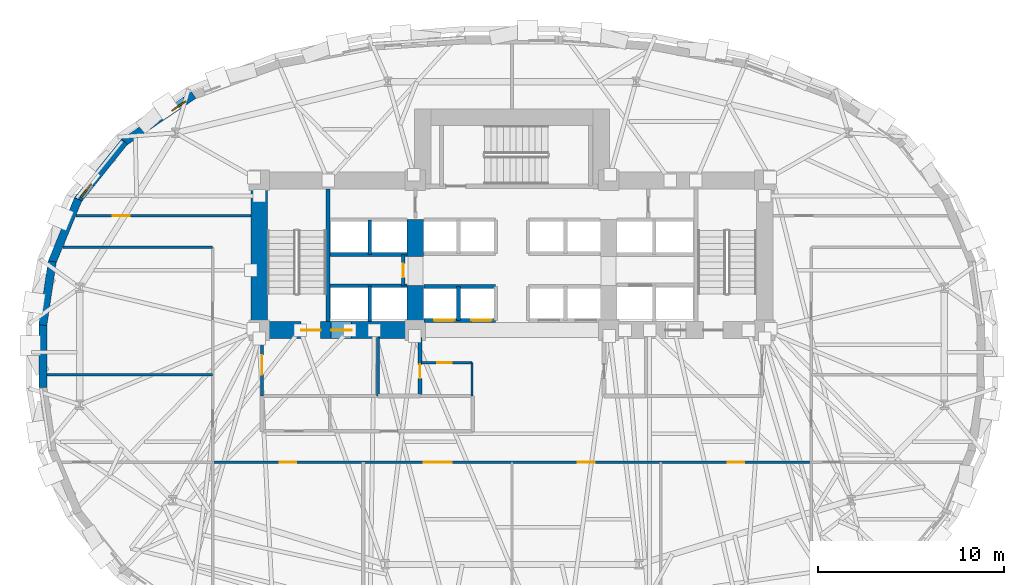
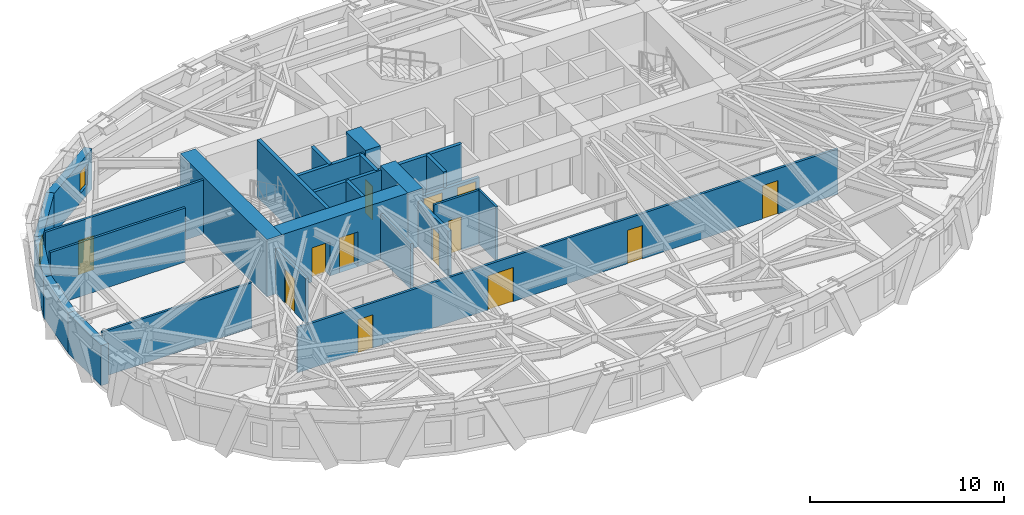
# One storey, part 6 of 13: 27 walls, 13 doors, 2 windows, 15 openings.
"""IFC4 building model written with IfcOpenShell, lengths in metres."""

from ifc_helpers import new_model, si_unit, direction, frame, frame_2d, origin, place, context, subcontext, project, spatial, rectangle, extrude, material, layer, layer_set, type_object, element, fill, save


model = new_model("IFC4")

# Units and contexts
model_context = context("Model", 3, precision=1e-05, world=origin(), true_north=direction((0.0, 1.0)))
body_context = subcontext(model_context, "Body", "Model", "MODEL_VIEW")
ifc_project = project(units=[si_unit("LENGTHUNIT", "METRE"), si_unit("AREAUNIT", "SQUARE_METRE"), si_unit("VOLUMEUNIT", "CUBIC_METRE"), si_unit("PLANEANGLEUNIT", "RADIAN"), si_unit("MASSUNIT", "GRAM", prefix="KILO")], contexts=[model_context])

# Site, building, storey
site_placement = place(None, origin())
site = spatial("IfcSite", under=ifc_project, at=site_placement, CompositionType="ELEMENT")
building_placement = place(site_placement, origin())
building = spatial("IfcBuilding", under=site, at=building_placement, Name="Keldmark Tower", CompositionType="ELEMENT")
storey_placement = place(building_placement, frame((0.0, 0.0, 30.60009765625)))
storey = spatial("IfcBuildingStorey", under=building, at=storey_placement, Name="L07", CompositionType="ELEMENT", Elevation=30.60009765625)

# Wall, openings, doors
ifc_material_1 = material(Name="Acoustic Double-Layer Gypsum Corridor Partition", Category="gypsum")
ifc_layer_1 = layer(ifc_material_1, 0.139892578125)
ifc_layer_set_1 = layer_set([ifc_layer_1], Name="Acoustic Double-Layer Gypsum Corridor Partition")
wall_type_1 = type_object("IfcWallType", Name="Acoustic Corridor Partition 140 mm", PredefinedType="PARTITIONING", material=ifc_layer_set_1)
wall_1_placement = place(storey_placement, frame((-16.10009765625, -5.699951171875, 0.0), z_axis=(0.0, 0.0, 1.0), x_axis=(1.0, 0.0, 0.0)))
wall_1 = element("IfcWall", 1, at=wall_1_placement, inside=storey, type_object=wall_type_1, Name="L07 Acoustic Corridor Partition 140 mm COR-S", PredefinedType="PARTITIONING", context=body_context, shape_type="SweptSolid", body=[
    extrude(rectangle(XDim=32.2001953125, YDim=0.139892578125, at=frame_2d((16.10009765625, 0.0))), origin(), (0.0, 0.0, 1.0), 2.852783203125),
])
opening_1_placement = place(wall_1_placement, frame((3.60009765625, 0.0, 0.0)))
opening_1 = element("IfcOpeningElement", 2, at=opening_1_placement, cuts=wall_1, Name="Opening D-IN090", PredefinedType="OPENING", context=body_context, shape_type="SweptSolid", body=[
    extrude(rectangle(XDim=0.89990234375, YDim=2.10009765625, at=frame_2d((0.449951171875, 1.050048828125))), frame((0.0, 0.079833984375, 0.0), z_axis=(0.0, -1.0, 0.0), x_axis=(1.0, 0.0, 0.0)), (0.0, 0.0, 1.0), 0.159912109375),
])
opening_2_placement = place(wall_1_placement, frame((11.35009765625, 0.0, 0.0)))
opening_2 = element("IfcOpeningElement", 3, at=opening_2_placement, cuts=wall_1, Name="Opening D-CF150", PredefinedType="OPENING", context=body_context, shape_type="SweptSolid", body=[
    extrude(rectangle(XDim=1.5, YDim=2.14990234375, at=frame_2d((0.75, 1.074951171875))), frame((0.0, 0.079833984375, 0.0), z_axis=(0.0, -1.0, 0.0), x_axis=(1.0, 0.0, 0.0)), (0.0, 0.0, 1.0), 0.159912109375),
])
opening_3_placement = place(wall_1_placement, frame((19.64990234375, 0.0, 0.0)))
opening_3 = element("IfcOpeningElement", 4, at=opening_3_placement, cuts=wall_1, Name="Opening D-IN090", PredefinedType="OPENING", context=body_context, shape_type="SweptSolid", body=[
    extrude(rectangle(XDim=0.89990234375, YDim=2.10009765625, at=frame_2d((0.449951171875, 1.050048828125))), frame((0.0, 0.079833984375, 0.0), z_axis=(0.0, -1.0, 0.0), x_axis=(1.0, 0.0, 0.0)), (0.0, 0.0, 1.0), 0.159912109375),
])
opening_4_placement = place(wall_1_placement, frame((27.699951171875, 0.0, 0.0)))
opening_4 = element("IfcOpeningElement", 5, at=opening_4_placement, cuts=wall_1, Name="Opening D-IN090", PredefinedType="OPENING", context=body_context, shape_type="SweptSolid", body=[
    extrude(rectangle(XDim=0.89990234375, YDim=2.10009765625, at=frame_2d((0.449951171875, 1.050048828125))), frame((0.0, 0.079833984375, 0.0), z_axis=(0.0, -1.0, 0.0), x_axis=(1.0, 0.0, 0.0)), (0.0, 0.0, 1.0), 0.159912109375),
])
ifc_material_2 = material(Name="Acoustic Timber and Tempered Glass Double Door", Category="wood")
door_type_1 = type_object("IfcDoorType", Name="Conference Double Door 1500x2150", OperationType="DOUBLE_DOOR_SINGLE_SWING", PredefinedType="DOOR", material=ifc_material_2)
door_1_placement = place(opening_2_placement, origin())
door_1 = element("IfcDoor", 6, at=door_1_placement, inside=storey, type_object=door_type_1, Name="L07 Conference Double Door 1500x2150 D-SR-2-L07", OperationType="DOUBLE_DOOR_SINGLE_SWING", OverallHeight=2.14990234375, OverallWidth=1.5, PredefinedType="DOOR", context=body_context, shape_type="SweptSolid", body=[
    extrude(rectangle(XDim=1.5, YDim=2.14990234375, at=frame_2d((0.75, 1.074951171875))), frame((0.0, 0.02490234375, 0.0), z_axis=(0.0, -1.0, 0.0), x_axis=(1.0, 0.0, 0.0)), (0.0, 0.0, 1.0), 0.050048828125),
])
fill(opening_2, door_1)
ifc_material_3 = material(Name="Stained American White Oak Veneer", Category="wood")
door_type_2 = type_object("IfcDoorType", Name="Interior Door 900x2100", OperationType="NOTDEFINED", PredefinedType="DOOR", material=ifc_material_3)
door_2_placement = place(opening_1_placement, origin())
door_2 = element("IfcDoor", 7, at=door_2_placement, inside=storey, type_object=door_type_2, Name="L07 Interior Door 900x2100 D-SR-1-L07", OperationType="SINGLE_SWING_LEFT", OverallHeight=2.10009765625, OverallWidth=0.89990234375, PredefinedType="DOOR", context=body_context, shape_type="SweptSolid", body=[
    extrude(rectangle(XDim=0.89990234375, YDim=2.10009765625, at=frame_2d((0.449951171875, 1.050048828125))), frame((0.0, 0.02490234375, 0.0), z_axis=(0.0, -1.0, 0.0), x_axis=(1.0, 0.0, 0.0)), (0.0, 0.0, 1.0), 0.050048828125),
])
fill(opening_1, door_2)
door_3_placement = place(opening_3_placement, origin())
door_3 = element("IfcDoor", 8, at=door_3_placement, inside=storey, type_object=door_type_2, Name="L07 Interior Door 900x2100 D-SR-3-L07", OperationType="SINGLE_SWING_RIGHT", OverallHeight=2.10009765625, OverallWidth=0.89990234375, PredefinedType="DOOR", context=body_context, shape_type="SweptSolid", body=[
    extrude(rectangle(XDim=0.89990234375, YDim=2.10009765625, at=frame_2d((0.449951171875, 1.050048828125))), frame((0.0, 0.02490234375, 0.0), z_axis=(0.0, -1.0, 0.0), x_axis=(1.0, 0.0, 0.0)), (0.0, 0.0, 1.0), 0.050048828125),
])
fill(opening_3, door_3)
door_4_placement = place(opening_4_placement, origin())
door_4 = element("IfcDoor", 9, at=door_4_placement, inside=storey, type_object=door_type_2, Name="L07 Interior Door 900x2100 D-SR-4-L07", OperationType="SINGLE_SWING_RIGHT", OverallHeight=2.10009765625, OverallWidth=0.89990234375, PredefinedType="DOOR", context=body_context, shape_type="SweptSolid", body=[
    extrude(rectangle(XDim=0.89990234375, YDim=2.10009765625, at=frame_2d((0.449951171875, 1.050048828125))), frame((0.0, 0.02490234375, 0.0), z_axis=(0.0, -1.0, 0.0), x_axis=(1.0, 0.0, 0.0)), (0.0, 0.0, 1.0), 0.050048828125),
])
fill(opening_4, door_4)

# Wall, opening, door
wall_2_placement = place(storey_placement, frame((-23.462890625, 7.550048828125, 0.0), z_axis=(0.0, 0.0, 1.0), x_axis=(1.0, 0.0, 0.0)))
wall_2 = element("IfcWall", 10, at=wall_2_placement, inside=storey, type_object=wall_type_1, Name="L07 Acoustic Corridor Partition 140 mm COR-WN-CAP", PredefinedType="PARTITIONING", context=body_context, shape_type="SweptSolid", body=[
    extrude(rectangle(XDim=9.412841796875, YDim=0.139892578125, at=frame_2d((4.70654296875, 0.0))), origin(), (0.0, 0.0, 1.0), 3.39990234375),
])
opening_5_placement = place(wall_2_placement, frame((1.98388671875, 0.0, 0.0)))
opening_5 = element("IfcOpeningElement", 11, at=opening_5_placement, cuts=wall_2, Name="Opening D-EX092", PredefinedType="OPENING", context=body_context, shape_type="SweptSolid", body=[
    extrude(rectangle(XDim=0.919921875, YDim=2.14990234375, at=frame_2d((0.4599609375, 1.074951171875))), frame((0.0, 0.079833984375, 0.0), z_axis=(0.0, -1.0, 0.0), x_axis=(1.0, 0.0, 0.0)), (0.0, 0.0, 1.0), 0.159912109375),
])
ifc_material_4 = material(Name="Flush American Ash Executive Office Door", Category="wood")
door_type_3 = type_object("IfcDoorType", Name="Executive Office Door 920x2150", OperationType="NOTDEFINED", PredefinedType="DOOR", material=ifc_material_4)
door_5_placement = place(opening_5_placement, origin())
door_5 = element("IfcDoor", 12, at=door_5_placement, inside=storey, type_object=door_type_3, Name="L07 Executive Office Door 920x2150 D-NRNW-L07", OperationType="SINGLE_SWING_LEFT", OverallHeight=2.14990234375, OverallWidth=0.919921875, PredefinedType="DOOR", context=body_context, shape_type="SweptSolid", body=[
    extrude(rectangle(XDim=0.919921875, YDim=2.14990234375, at=frame_2d((0.4599609375, 1.074951171875))), frame((0.0, 0.02490234375, 0.0), z_axis=(0.0, -1.0, 0.0), x_axis=(1.0, 0.0, 0.0)), (0.0, 0.0, 1.0), 0.050048828125),
])
fill(opening_5, door_5)

# Wall
wall_3_placement = place(storey_placement, frame((-24.165283203125, 5.85009765625, 0.0), z_axis=(0.0, 0.0, 1.0), x_axis=(1.0, 0.0, 0.0)))
element("IfcWall", 13, at=wall_3_placement, inside=storey, type_object=wall_type_1, Name="L07 Acoustic Corridor Partition 140 mm COR-WA-S", PredefinedType="PARTITIONING", context=body_context, shape_type="SweptSolid", body=[
    extrude(rectangle(XDim=8.065185546875, YDim=0.139892578125, at=frame_2d((4.03271484375, 0.0))), origin(), (0.0, 0.0, 1.0), 3.39990234375),
])

# Wall, opening, door
ifc_material_5 = material(Name="Acoustic Gypsum Board Interior Partition", Category="gypsum")
ifc_layer_2 = layer(ifc_material_5, 0.1298828125)
ifc_layer_set_2 = layer_set([ifc_layer_2], Name="Acoustic Gypsum Board Interior Partition")
wall_type_2 = type_object("IfcWallType", Name="Interior Partition 130 mm", PredefinedType="PARTITIONING", material=ifc_layer_set_2)
wall_4_placement = place(storey_placement, frame((-4.8798828125, -0.35009765625, 0.0), z_axis=(0.0, 0.0, 1.0), x_axis=(1.0, 0.0, 0.0)))
wall_4 = element("IfcWall", 14, at=wall_4_placement, inside=storey, type_object=wall_type_2, Name="L07 Interior Partition 130 mm CSC-W-N", PredefinedType="PARTITIONING", context=body_context, shape_type="SweptSolid", body=[
    extrude(rectangle(XDim=2.72998046875, YDim=0.1298828125, at=frame_2d((1.364990234375, 0.0))), origin(), (0.0, 0.0, 1.0), 3.39990234375),
])
opening_6_placement = place(wall_4_placement, frame((0.85009765625, 0.0, 0.0)))
opening_6 = element("IfcOpeningElement", 15, at=opening_6_placement, cuts=wall_4, Name="Opening D-CL078", PredefinedType="OPENING", context=body_context, shape_type="SweptSolid", body=[
    extrude(rectangle(XDim=0.780029296875, YDim=2.10009765625, at=frame_2d((0.39013671875, 1.050048828125))), frame((0.0, 0.074951171875, 0.0), z_axis=(0.0, -1.0, 0.0), x_axis=(1.0, 0.0, 0.0)), (0.0, 0.0, 1.0), 0.14990234375),
])
ifc_material_6 = material(Name="Flush Utility Closet Timber Door", Category="wood")
door_type_4 = type_object("IfcDoorType", Name="Closet Door 780x2100", OperationType="NOTDEFINED", PredefinedType="DOOR", material=ifc_material_6)
door_6_placement = place(opening_6_placement, origin())
door_6 = element("IfcDoor", 16, at=door_6_placement, inside=storey, type_object=door_type_4, Name="L07 Closet Door 780x2100 D-CSCW1-L07", OperationType="SINGLE_SWING_LEFT", OverallHeight=2.10009765625, OverallWidth=0.780029296875, PredefinedType="DOOR", context=body_context, shape_type="SweptSolid", body=[
    extrude(rectangle(XDim=0.780029296875, YDim=2.10009765625, at=frame_2d((0.39013671875, 1.050048828125))), frame((0.0, 0.02490234375, 0.0), z_axis=(0.0, -1.0, 0.0), x_axis=(1.0, 0.0, 0.0)), (0.0, 0.0, 1.0), 0.050048828125),
])
fill(opening_6, door_6)

# Walls
wall_5_placement = place(storey_placement, frame((-2.14990234375, -2.14990234375, 0.0), z_axis=(0.0, 0.0, 1.0), x_axis=(0.0, 1.0, 0.0)))
element("IfcWall", 17, at=wall_5_placement, inside=storey, type_object=wall_type_2, Name="L07 Interior Partition 130 mm CSC-W-E", PredefinedType="PARTITIONING", context=body_context, shape_type="SweptSolid", body=[
    extrude(rectangle(XDim=1.7998046875, YDim=0.1298828125, at=frame_2d((0.89990234375, 0.0))), origin(), (0.0, 0.0, 1.0), 3.39990234375),
])
wall_6_placement = place(storey_placement, frame((-25.01123046875, -1.0, 0.0), z_axis=(0.0, 0.0, 1.0), x_axis=(1.0, 0.0, 0.0)))
element("IfcWall", 18, at=wall_6_placement, inside=storey, type_object=wall_type_2, Name="L07 Interior Partition 130 mm W-DIV-1", PredefinedType="PARTITIONING", context=body_context, shape_type="SweptSolid", body=[
    extrude(rectangle(XDim=8.9111328125, YDim=0.1298828125, at=frame_2d((4.45556640625, 0.0))), origin(), (0.0, 0.0, 1.0), 2.8408203125),
])
ifc_material_7 = material(Name="Concrete C70/85", Category="concrete")
ifc_layer_3 = layer(ifc_material_7, 0.89990234375)
ifc_layer_set_3 = layer_set([ifc_layer_3], Name="Concrete C70/85")
wall_type_3 = type_object("IfcWallType", Name="Lower Core Shear Wall 900 mm", PredefinedType="SHEAR", material=ifc_layer_set_3)
wall_7_placement = place(storey_placement, frame((-13.60009765625, 0.949951171875, 0.0), z_axis=(0.0, 0.0, 1.0), x_axis=(0.0, 1.0, 0.0)))
element("IfcWall", 19, at=wall_7_placement, inside=storey, type_object=wall_type_3, Name="L07 West Core Outer Shear Wall", PredefinedType="SHEAR", context=body_context, shape_type="SweptSolid", body=[
    extrude(rectangle(XDim=8.949951171875, YDim=0.89990234375, at=frame_2d((4.47509765625, 0.0))), origin(), (0.0, 0.0, 1.0), 3.599853515625),
])

# Wall, openings, doors
wall_8_placement = place(storey_placement, frame((-4.75, 1.39990234375, 0.0), z_axis=(0.0, 0.0, 1.0), x_axis=(-1.0, 0.0, 0.0)))
wall_8 = element("IfcWall", 20, at=wall_8_placement, inside=storey, type_object=wall_type_3, Name="L07 West Core South Shear Wall", PredefinedType="SHEAR", context=body_context, shape_type="SweptSolid", body=[
    extrude(rectangle(XDim=9.300048828125, YDim=0.89990234375, at=frame_2d((4.64990234375, 0.0))), origin(), (0.0, 0.0, 1.0), 3.599853515625),
])
opening_7_placement = place(wall_8_placement, frame((5.550048828125, 0.0, 0.0)))
opening_7 = element("IfcOpeningElement", 21, at=opening_7_placement, cuts=wall_8, Name="Opening D-ST105", PredefinedType="OPENING", context=body_context, shape_type="SweptSolid", body=[
    extrude(rectangle(XDim=1.050048828125, YDim=2.14990234375, at=frame_2d((0.52490234375, 1.074951171875))), frame((0.0, 0.4599609375, 0.0), z_axis=(0.0, -1.0, 0.0), x_axis=(1.0, 0.0, 0.0)), (0.0, 0.0, 1.0), 0.919921875),
])
opening_8_placement = place(wall_8_placement, frame((3.8798828125, 0.0, 0.0)))
opening_8 = element("IfcOpeningElement", 22, at=opening_8_placement, cuts=wall_8, Name="Opening LD-110", PredefinedType="OPENING", context=body_context, shape_type="SweptSolid", body=[
    extrude(rectangle(XDim=1.10009765625, YDim=2.199951171875, at=frame_2d((0.550048828125, 1.10009765625))), frame((0.0, 0.4599609375, 0.0), z_axis=(0.0, -1.0, 0.0), x_axis=(1.0, 0.0, 0.0)), (0.0, 0.0, 1.0), 0.919921875),
])
ifc_material_8 = material(Name="Brushed Bronze Hoistway Sliding Leaf", Category="metal")
door_type_5 = type_object("IfcDoorType", Name="Lift Landing Sliding Door 1100x2200", OperationType="SLIDING_TO_LEFT", PredefinedType="DOOR", material=ifc_material_8)
door_7_placement = place(opening_8_placement, origin())
door_7 = element("IfcDoor", 23, at=door_7_placement, inside=storey, type_object=door_type_5, Name="L07 Lift Landing Sliding Door 1100x2200 LD-EL-FS1-L07", OperationType="SLIDING_TO_LEFT", OverallHeight=2.199951171875, OverallWidth=1.10009765625, PredefinedType="DOOR", context=body_context, shape_type="SweptSolid", body=[
    extrude(rectangle(XDim=1.10009765625, YDim=2.199951171875, at=frame_2d((0.550048828125, 1.10009765625))), frame((0.0, 0.02490234375, 0.0), z_axis=(0.0, -1.0, 0.0), x_axis=(1.0, 0.0, 0.0)), (0.0, 0.0, 1.0), 0.050048828125),
])
fill(opening_8, door_7)
ifc_material_9 = material(Name="Hollow Metal Fire-Rated Door Assembly", Category="metal")
door_type_6 = type_object("IfcDoorType", Name="Stair Fire Door 1050x2150", OperationType="NOTDEFINED", PredefinedType="DOOR", material=ifc_material_9)
door_8_placement = place(opening_7_placement, origin())
door_8 = element("IfcDoor", 24, at=door_8_placement, inside=storey, type_object=door_type_6, Name="L07 Stair Fire Door 1050x2150 D-ST1-L07", OperationType="SINGLE_SWING_RIGHT", OverallHeight=2.14990234375, OverallWidth=1.050048828125, PredefinedType="DOOR", context=body_context, shape_type="SweptSolid", body=[
    extrude(rectangle(XDim=1.050048828125, YDim=2.14990234375, at=frame_2d((0.52490234375, 1.074951171875))), frame((0.0, 0.02490234375, 0.0), z_axis=(0.0, -1.0, 0.0), x_axis=(1.0, 0.0, 0.0)), (0.0, 0.0, 1.0), 0.050048828125),
])
fill(opening_7, door_8)

# Walls
wall_9_placement = place(storey_placement, frame((-5.199951171875, 0.949951171875, 0.0), z_axis=(0.0, 0.0, 1.0), x_axis=(0.0, 1.0, 0.0)))
element("IfcWall", 25, at=wall_9_placement, inside=storey, type_object=wall_type_3, Name="L07 West Core Inner Shear Pier South", PredefinedType="SHEAR", context=body_context, shape_type="SweptSolid", body=[
    extrude(rectangle(XDim=2.85009765625, YDim=0.89990234375, at=frame_2d((1.425048828125, 0.0))), origin(), (0.0, 0.0, 1.0), 3.599853515625),
])
wall_10_placement = place(storey_placement, frame((-5.199951171875, 5.35009765625, 0.0), z_axis=(0.0, 0.0, 1.0), x_axis=(0.0, 1.0, 0.0)))
element("IfcWall", 26, at=wall_10_placement, inside=storey, type_object=wall_type_3, Name="L07 West Core Inner Shear Pier North", PredefinedType="SHEAR", context=body_context, shape_type="SweptSolid", body=[
    extrude(rectangle(XDim=2.0, YDim=0.89990234375, at=frame_2d((1.0, 0.0))), origin(), (0.0, 0.0, 1.0), 3.599853515625),
])

# Wall, opening, door
ifc_material_10 = material(Name="Type X Fire-Rated Gypsum Partition Assembly", Category="gypsum")
ifc_layer_4 = layer(ifc_material_10, 0.1650390625)
ifc_layer_set_4 = layer_set([ifc_layer_4], Name="Type X Fire-Rated Gypsum Partition Assembly")
wall_type_4 = type_object("IfcWallType", Name="Rated Partition 165 mm", PredefinedType="PARTITIONING", material=ifc_layer_set_4)
wall_11_placement = place(storey_placement, frame((-13.449951171875, -2.14990234375, 0.0), z_axis=(0.0, 0.0, 1.0), x_axis=(0.0, 1.0, 0.0)))
wall_11 = element("IfcWall", 27, at=wall_11_placement, inside=storey, type_object=wall_type_4, Name="L07 Rated Partition 165 mm FSAE-W-W", PredefinedType="PARTITIONING", context=body_context, shape_type="SweptSolid", body=[
    extrude(rectangle(XDim=3.14990234375, YDim=0.1650390625, at=frame_2d((1.574951171875, 0.0))), origin(), (0.0, 0.0, 1.0), 2.852783203125),
])
opening_9_placement = place(wall_11_placement, frame((1.14990234375, 0.0, 0.0)))
opening_9 = element("IfcOpeningElement", 28, at=opening_9_placement, cuts=wall_11, Name="Opening D-FL105", PredefinedType="OPENING", context=body_context, shape_type="SweptSolid", body=[
    extrude(rectangle(XDim=1.050048828125, YDim=2.14990234375, at=frame_2d((0.52490234375, 1.074951171875))), frame((0.0, 0.092529296875, 0.0), z_axis=(0.0, -1.0, 0.0), x_axis=(1.0, 0.0, 0.0)), (0.0, 0.0, 1.0), 0.18505859375),
])
ifc_material_11 = material(Name="Fire-Rated Mineral-Core Door and Vision Lite", Category="metal")
door_type_7 = type_object("IfcDoorType", Name="Fire Lobby Door 1050x2150", OperationType="NOTDEFINED", PredefinedType="DOOR", material=ifc_material_11)
door_9_placement = place(opening_9_placement, origin())
door_9 = element("IfcDoor", 29, at=door_9_placement, inside=storey, type_object=door_type_7, Name="L07 Fire Lobby Door 1050x2150 D-FSAEW-OUT-L07", OperationType="SINGLE_SWING_LEFT", OverallHeight=2.14990234375, OverallWidth=1.050048828125, PredefinedType="DOOR", context=body_context, shape_type="SweptSolid", body=[
    extrude(rectangle(XDim=1.050048828125, YDim=2.14990234375, at=frame_2d((0.52490234375, 1.074951171875))), frame((0.0, 0.02490234375, 0.0), z_axis=(0.0, -1.0, 0.0), x_axis=(1.0, 0.0, 0.0)), (0.0, 0.0, 1.0), 0.050048828125),
])
fill(opening_9, door_9)

# Wall
wall_12_placement = place(storey_placement, frame((-7.199951171875, -2.14990234375, 0.0), z_axis=(0.0, 0.0, 1.0), x_axis=(0.0, 1.0, 0.0)))
element("IfcWall", 30, at=wall_12_placement, inside=storey, type_object=wall_type_4, Name="L07 Rated Partition 165 mm FSAE-W-E", PredefinedType="PARTITIONING", context=body_context, shape_type="SweptSolid", body=[
    extrude(rectangle(XDim=3.14990234375, YDim=0.1650390625, at=frame_2d((1.574951171875, 0.0))), origin(), (0.0, 0.0, 1.0), 2.852783203125),
])

# Wall, opening, door
ifc_material_12 = material(Name="Fire-Resistant Type X Gypsum Shaftliner Coreboard", Category="gypsum")
ifc_layer_5 = layer(ifc_material_12, 0.199951171875)
ifc_layer_set_5 = layer_set([ifc_layer_5], Name="Fire-Resistant Type X Gypsum Shaftliner Coreboard")
wall_type_5 = type_object("IfcWallType", Name="Shaft Wall 200 mm", PredefinedType="SOLIDWALL", material=ifc_layer_set_5)
wall_13_placement = place(storey_placement, frame((-4.949951171875, -2.14990234375, 0.0), z_axis=(0.0, 0.0, 1.0), x_axis=(0.0, 1.0, 0.0)))
wall_13 = element("IfcWall", 31, at=wall_13_placement, inside=storey, type_object=wall_type_5, Name="L07 Shaft Wall 200 mm RIS-SW-E", PredefinedType="SOLIDWALL", context=body_context, shape_type="SweptSolid", body=[
    extrude(rectangle(XDim=3.14990234375, YDim=0.199951171875, at=frame_2d((1.574951171875, 0.0))), origin(), (0.0, 0.0, 1.0), 2.852783203125),
])
opening_10_placement = place(wall_13_placement, frame((0.949951171875, 0.0, 0.0)))
opening_10 = element("IfcOpeningElement", 32, at=opening_10_placement, cuts=wall_13, Name="Opening D-RS075", PredefinedType="OPENING", context=body_context, shape_type="SweptSolid", body=[
    extrude(rectangle(XDim=0.75, YDim=2.10009765625, at=frame_2d((0.375, 1.050048828125))), frame((0.0, 0.10986328125, 0.0), z_axis=(0.0, -1.0, 0.0), x_axis=(1.0, 0.0, 0.0)), (0.0, 0.0, 1.0), 0.219970703125),
])
ifc_material_13 = material(Name="Galvanized Fire-Rated Access Leaf", Category="metal")
door_type_8 = type_object("IfcDoorType", Name="Riser Access Door 750x2100", OperationType="NOTDEFINED", PredefinedType="DOOR", material=ifc_material_13)
door_10_placement = place(opening_10_placement, origin())
door_10 = element("IfcDoor", 33, at=door_10_placement, inside=storey, type_object=door_type_8, Name="L07 Riser Access Door 750x2100 D-RISSW-L07", OperationType="SINGLE_SWING_RIGHT", OverallHeight=2.10009765625, OverallWidth=0.75, PredefinedType="DOOR", context=body_context, shape_type="SweptSolid", body=[
    extrude(rectangle(XDim=0.75, YDim=2.10009765625, at=frame_2d((0.375, 1.050048828125))), frame((0.0, 0.02490234375, 0.0), z_axis=(0.0, -1.0, 0.0), x_axis=(1.0, 0.0, 0.0)), (0.0, 0.0, 1.0), 0.050048828125),
])
fill(opening_10, door_10)

# Walls
wall_14_placement = place(storey_placement, frame((-9.780029296875, 3.780029296875, 0.0), z_axis=(0.0, 0.0, 1.0), x_axis=(1.0, 0.0, 0.0)))
element("IfcWall", 34, at=wall_14_placement, inside=storey, type_object=wall_type_5, Name="L07 Shaft Wall 200 mm HW-W-S", PredefinedType="SOLIDWALL", context=body_context, shape_type="SweptSolid", body=[
    extrude(rectangle(XDim=4.130126953125, YDim=0.199951171875, at=frame_2d((2.06494140625, 0.0))), origin(), (0.0, 0.0, 1.0), 3.39990234375),
])
wall_15_placement = place(storey_placement, frame((-7.64990234375, 1.85009765625, 0.0), z_axis=(0.0, 0.0, 1.0), x_axis=(0.0, 1.0, 0.0)))
element("IfcWall", 35, at=wall_15_placement, inside=storey, type_object=wall_type_5, Name="L07 Shaft Wall 200 mm HW-W-M", PredefinedType="SOLIDWALL", context=body_context, shape_type="SweptSolid", body=[
    extrude(rectangle(XDim=1.929931640625, YDim=0.199951171875, at=frame_2d((0.96484375, 0.0))), origin(), (0.0, 0.0, 1.0), 3.39990234375),
])
wall_16_placement = place(storey_placement, frame((-9.780029296875, 5.469970703125, 0.0), z_axis=(0.0, 0.0, 1.0), x_axis=(1.0, 0.0, 0.0)))
element("IfcWall", 36, at=wall_16_placement, inside=storey, type_object=wall_type_5, Name="L07 Shaft Wall 200 mm HW-W-N", PredefinedType="SOLIDWALL", context=body_context, shape_type="SweptSolid", body=[
    extrude(rectangle(XDim=4.130126953125, YDim=0.199951171875, at=frame_2d((2.06494140625, 0.0))), origin(), (0.0, 0.0, 1.0), 3.39990234375),
])
wall_17_placement = place(storey_placement, frame((-7.64990234375, 5.469970703125, 0.0), z_axis=(0.0, 0.0, 1.0), x_axis=(0.0, 1.0, 0.0)))
element("IfcWall", 37, at=wall_17_placement, inside=storey, type_object=wall_type_5, Name="L07 Shaft Wall 200 mm HW-W-NM", PredefinedType="SOLIDWALL", context=body_context, shape_type="SweptSolid", body=[
    extrude(rectangle(XDim=1.860107421875, YDim=0.199951171875, at=frame_2d((0.93017578125, 0.0))), origin(), (0.0, 0.0, 1.0), 3.39990234375),
])

# Wall, opening, door
wall_18_placement = place(storey_placement, frame((-5.85009765625, 3.780029296875, 0.0), z_axis=(0.0, 0.0, 1.0), x_axis=(0.0, 1.0, 0.0)))
wall_18 = element("IfcWall", 38, at=wall_18_placement, inside=storey, type_object=wall_type_5, Name="L07 Shaft Wall 200 mm HW-W-CLOSE", PredefinedType="SOLIDWALL", context=body_context, shape_type="SweptSolid", body=[
    extrude(rectangle(XDim=1.68994140625, YDim=0.199951171875, at=frame_2d((0.844970703125, 0.0))), origin(), (0.0, 0.0, 1.0), 3.39990234375),
])
opening_11_placement = place(wall_18_placement, frame((0.449951171875, 0.0, 0.0)))
opening_11 = element("IfcOpeningElement", 39, at=opening_11_placement, cuts=wall_18, Name="Opening D-RS075", PredefinedType="OPENING", context=body_context, shape_type="SweptSolid", body=[
    extrude(rectangle(XDim=0.75, YDim=2.10009765625, at=frame_2d((0.375, 1.050048828125))), frame((0.0, 0.10986328125, 0.0), z_axis=(0.0, -1.0, 0.0), x_axis=(1.0, 0.0, 0.0)), (0.0, 0.0, 1.0), 0.219970703125),
])
door_11_placement = place(opening_11_placement, origin())
door_11 = element("IfcDoor", 40, at=door_11_placement, inside=storey, type_object=door_type_8, Name="L07 Riser Access Door 750x2100 D-RISHW-L07", OperationType="SINGLE_SWING_RIGHT", OverallHeight=2.10009765625, OverallWidth=0.75, PredefinedType="DOOR", context=body_context, shape_type="SweptSolid", body=[
    extrude(rectangle(XDim=0.75, YDim=2.10009765625, at=frame_2d((0.375, 1.050048828125))), frame((0.0, 0.02490234375, 0.0), z_axis=(0.0, -1.0, 0.0), x_axis=(1.0, 0.0, 0.0)), (0.0, 0.0, 1.0), 0.050048828125),
])
fill(opening_11, door_11)

# Wall, openings, doors
wall_19_placement = place(storey_placement, frame((-4.739990234375, 1.919921875, 0.0), z_axis=(0.0, 0.0, 1.0), x_axis=(1.0, 0.0, 0.0)))
wall_19 = element("IfcWall", 41, at=wall_19_placement, inside=storey, type_object=wall_type_5, Name="L07 Shaft Wall 200 mm LOW-S-W", PredefinedType="SOLIDWALL", context=body_context, shape_type="SweptSolid", body=[
    extrude(rectangle(XDim=3.860107421875, YDim=0.199951171875, at=frame_2d((1.93017578125, 0.0))), origin(), (0.0, 0.0, 1.0), 2.389892578125),
])
opening_12_placement = place(wall_19_placement, frame((0.550048828125, 0.0, 0.0)))
opening_12 = element("IfcOpeningElement", 42, at=opening_12_placement, cuts=wall_19, Name="Opening LD-110", PredefinedType="OPENING", context=body_context, shape_type="SweptSolid", body=[
    extrude(rectangle(XDim=1.10009765625, YDim=2.199951171875, at=frame_2d((0.550048828125, 1.10009765625))), frame((0.0, 0.10986328125, 0.0), z_axis=(0.0, -1.0, 0.0), x_axis=(1.0, 0.0, 0.0)), (0.0, 0.0, 1.0), 0.219970703125),
])
opening_13_placement = place(wall_19_placement, frame((2.550048828125, 0.0, 0.0)))
opening_13 = element("IfcOpeningElement", 43, at=opening_13_placement, cuts=wall_19, Name="Opening LD-110", PredefinedType="OPENING", context=body_context, shape_type="SweptSolid", body=[
    extrude(rectangle(XDim=1.10009765625, YDim=2.199951171875, at=frame_2d((0.550048828125, 1.10009765625))), frame((0.0, 0.10986328125, 0.0), z_axis=(0.0, -1.0, 0.0), x_axis=(1.0, 0.0, 0.0)), (0.0, 0.0, 1.0), 0.219970703125),
])
door_12_placement = place(opening_12_placement, origin())
door_12 = element("IfcDoor", 44, at=door_12_placement, inside=storey, type_object=door_type_5, Name="L07 Lift Landing Sliding Door 1100x2200 LD-EL-L1-L07", OperationType="SLIDING_TO_LEFT", OverallHeight=2.199951171875, OverallWidth=1.10009765625, PredefinedType="DOOR", context=body_context, shape_type="SweptSolid", body=[
    extrude(rectangle(XDim=1.10009765625, YDim=2.199951171875, at=frame_2d((0.550048828125, 1.10009765625))), frame((0.0, 0.02490234375, 0.0), z_axis=(0.0, -1.0, 0.0), x_axis=(1.0, 0.0, 0.0)), (0.0, 0.0, 1.0), 0.050048828125),
])
fill(opening_12, door_12)
door_13_placement = place(opening_13_placement, origin())
door_13 = element("IfcDoor", 45, at=door_13_placement, inside=storey, type_object=door_type_5, Name="L07 Lift Landing Sliding Door 1100x2200 LD-EL-L2-L07", OperationType="SLIDING_TO_LEFT", OverallHeight=2.199951171875, OverallWidth=1.10009765625, PredefinedType="DOOR", context=body_context, shape_type="SweptSolid", body=[
    extrude(rectangle(XDim=1.10009765625, YDim=2.199951171875, at=frame_2d((0.550048828125, 1.10009765625))), frame((0.0, 0.02490234375, 0.0), z_axis=(0.0, -1.0, 0.0), x_axis=(1.0, 0.0, 0.0)), (0.0, 0.0, 1.0), 0.050048828125),
])
fill(opening_13, door_13)

# Walls
wall_20_placement = place(storey_placement, frame((-4.739990234375, 3.739990234375, 0.0), z_axis=(0.0, 0.0, 1.0), x_axis=(1.0, 0.0, 0.0)))
element("IfcWall", 46, at=wall_20_placement, inside=storey, type_object=wall_type_5, Name="L07 Shaft Wall 200 mm LOW-N-W", PredefinedType="SOLIDWALL", context=body_context, shape_type="SweptSolid", body=[
    extrude(rectangle(XDim=3.860107421875, YDim=0.199951171875, at=frame_2d((1.93017578125, 0.0))), origin(), (0.0, 0.0, 1.0), 3.39990234375),
])
wall_21_placement = place(storey_placement, frame((-2.8798828125, 1.919921875, 0.0), z_axis=(0.0, 0.0, 1.0), x_axis=(0.0, 1.0, 0.0)))
element("IfcWall", 47, at=wall_21_placement, inside=storey, type_object=wall_type_5, Name="L07 Shaft Wall 200 mm LOW-M-W", PredefinedType="SOLIDWALL", context=body_context, shape_type="SweptSolid", body=[
    extrude(rectangle(XDim=1.820068359375, YDim=0.199951171875, at=frame_2d((0.91015625, 0.0))), origin(), (0.0, 0.0, 1.0), 3.39990234375),
])
ifc_material_14 = material(Name="Concrete C50/60", Category="concrete")
ifc_layer_6 = layer(ifc_material_14, 0.219970703125)
ifc_layer_set_6 = layer_set([ifc_layer_6], Name="Concrete C50/60")
wall_type_6 = type_object("IfcWallType", Name="Stair Core Shear Wall 220 mm", PredefinedType="SHEAR", material=ifc_layer_set_6)
wall_22_placement = place(storey_placement, frame((-9.889892578125, 1.85009765625, 0.0), z_axis=(0.0, 0.0, 1.0), x_axis=(0.0, 1.0, 0.0)))
element("IfcWall", 48, at=wall_22_placement, inside=storey, type_object=wall_type_6, Name="L07 West Stair Core Shear Wall", PredefinedType="SHEAR", context=body_context, shape_type="SweptSolid", body=[
    extrude(rectangle(XDim=7.14990234375, YDim=0.219970703125, at=frame_2d((3.574951171875, 0.0))), origin(), (0.0, 0.0, 1.0), 3.599853515625),
])

# Wall, opening, window
ifc_material_15 = material(Name="Ironspot Manganese Brick and Kasota Buff Limestone Spandrel Assembly", Category="masonry")
ifc_layer_7 = layer(ifc_material_15, 0.43994140625)
ifc_layer_set_7 = layer_set([ifc_layer_7], Name="Ironspot Manganese Brick and Kasota Buff Limestone Spandrel Assembly")
wall_type_7 = type_object("IfcWallType", Name="Tower Brick Pier and Spandrel Wall 440 mm", PredefinedType="STANDARD", material=ifc_layer_set_7)
wall_23_placement = place(storey_placement, frame((-20.89404296875, 11.496337890625, 0.0), z_axis=(0.0, 0.0, 1.0), x_axis=(0.828051238664, 0.560652429003, 0.0)))
wall_23 = element("IfcWall", 49, at=wall_23_placement, inside=storey, type_object=wall_type_7, Name="L07 Exterior Brick and Spandrel Wall 12", PredefinedType="STANDARD", context=body_context, shape_type="SweptSolid", body=[
    extrude(rectangle(XDim=4.551513671875, YDim=0.43994140625, at=frame_2d((2.27587890625, 0.0))), origin(), (0.0, 0.0, 1.0), 2.532958984375),
])
opening_14_placement = place(wall_23_placement, frame((3.106689453125, 0.0, 0.580078125)))
opening_14 = element("IfcOpeningElement", 50, at=opening_14_placement, cuts=wall_23, Name="Opening W-09", PredefinedType="OPENING", context=body_context, shape_type="SweptSolid", body=[
    extrude(rectangle(XDim=0.89990234375, YDim=1.35009765625, at=frame_2d((0.449951171875, 0.675048828125))), frame((0.0, 0.22998046875, 0.0), z_axis=(0.0, -1.0, 0.0), x_axis=(1.0, 0.0, 0.0)), (0.0, 0.0, 1.0), 0.4599609375),
])
ifc_material_16 = material(Name="Thermally Broken Anodized Aluminum and Triple Low-E Argon Glazing", Category="aluminium")
window_type = type_object("IfcWindowType", Name="Corner Pier Deep-Set Window 900x1350", PartitioningType="SINGLE_PANEL", PredefinedType="WINDOW", material=ifc_material_16)
window_1_placement = place(opening_14_placement, origin())
window_1 = element("IfcWindow", 51, at=window_1_placement, inside=storey, type_object=window_type, Name="L07 Deep-Set Window 12", OverallHeight=1.35009765625, OverallWidth=0.89990234375, PartitioningType="SINGLE_PANEL", PredefinedType="WINDOW", context=body_context, shape_type="SweptSolid", body=[
    extrude(rectangle(XDim=0.89990234375, YDim=1.35009765625, at=frame_2d((0.449951171875, 0.675048828125))), frame((0.0, -0.010009765625, 0.0), z_axis=(0.0, -1.0, 0.0), x_axis=(1.0, 0.0, 0.0)), (0.0, 0.0, 1.0), 0.06005859375),
])
fill(opening_14, window_1)

wall_24_placement = place(storey_placement, frame((-23.37451171875, 8.384033203125, 0.0), z_axis=(0.0, 0.0, 1.0), x_axis=(0.625180729177, 0.780480016314, 0.0)))
wall_24 = element("IfcWall", 52, at=wall_24_placement, inside=storey, type_object=wall_type_7, Name="L07 Exterior Brick and Spandrel Wall 13", PredefinedType="STANDARD", context=body_context, shape_type="SweptSolid", body=[
    extrude(rectangle(XDim=4.044921875, YDim=0.43994140625, at=frame_2d((2.0224609375, 0.0))), origin(), (0.0, 0.0, 1.0), 2.532958984375),
])
opening_15_placement = place(wall_24_placement, frame((0.25, 0.0, 0.580078125)))
opening_15 = element("IfcOpeningElement", 53, at=opening_15_placement, cuts=wall_24, Name="Opening W-09", PredefinedType="OPENING", context=body_context, shape_type="SweptSolid", body=[
    extrude(rectangle(XDim=0.89990234375, YDim=1.35009765625, at=frame_2d((0.449951171875, 0.675048828125))), frame((0.0, 0.22998046875, 0.0), z_axis=(0.0, -1.0, 0.0), x_axis=(1.0, 0.0, 0.0)), (0.0, 0.0, 1.0), 0.4599609375),
])
window_2_placement = place(opening_15_placement, origin())
window_2 = element("IfcWindow", 54, at=window_2_placement, inside=storey, type_object=window_type, Name="L07 Deep-Set Window 13", OverallHeight=1.35009765625, OverallWidth=0.89990234375, PartitioningType="SINGLE_PANEL", PredefinedType="WINDOW", context=body_context, shape_type="SweptSolid", body=[
    extrude(rectangle(XDim=0.89990234375, YDim=1.35009765625, at=frame_2d((0.449951171875, 0.675048828125))), frame((0.0, -0.010009765625, 0.0), z_axis=(0.0, -1.0, 0.0), x_axis=(1.0, 0.0, 0.0)), (0.0, 0.0, 1.0), 0.06005859375),
])
fill(opening_15, window_2)

# Walls
wall_25_placement = place(storey_placement, frame((-24.74658203125, 5.04052734375, 0.0), z_axis=(0.0, 0.0, 1.0), x_axis=(0.381925438614, 0.92419313963, 0.0)))
element("IfcWall", 55, at=wall_25_placement, inside=storey, type_object=wall_type_7, Name="L07 Exterior Brick and Spandrel Wall 14", PredefinedType="STANDARD", context=body_context, shape_type="SweptSolid", body=[
    extrude(rectangle(XDim=3.675537109375, YDim=0.43994140625, at=frame_2d((1.837890625, 0.0))), origin(), (0.0, 0.0, 1.0), 2.532958984375),
])
wall_26_placement = place(storey_placement, frame((-25.24169921875, 1.66552734375, 0.0), z_axis=(0.0, 0.0, 1.0), x_axis=(0.147003256829, 0.989136008081, 0.0)))
element("IfcWall", 56, at=wall_26_placement, inside=storey, type_object=wall_type_7, Name="L07 Exterior Brick and Spandrel Wall 15", PredefinedType="STANDARD", context=body_context, shape_type="SweptSolid", body=[
    extrude(rectangle(XDim=3.46435546875, YDim=0.43994140625, at=frame_2d((1.732177734375, 0.0))), origin(), (0.0, 0.0, 1.0), 2.532958984375),
])
wall_27_placement = place(storey_placement, frame((-25.2392578125, -1.69775390625, 0.0), z_axis=(0.0, 0.0, 1.0), x_axis=(0.0, 1.0, 0.0)))
element("IfcWall", 57, at=wall_27_placement, inside=storey, type_object=wall_type_7, Name="L07 Exterior Brick and Spandrel Wall 16", PredefinedType="STANDARD", context=body_context, shape_type="SweptSolid", body=[
    extrude(rectangle(XDim=3.3955078125, YDim=0.43994140625, at=frame_2d((1.69775390625, 0.0))), origin(), (0.0, 0.0, 1.0), 2.532958984375),
])

save(model, "model.ifc")
